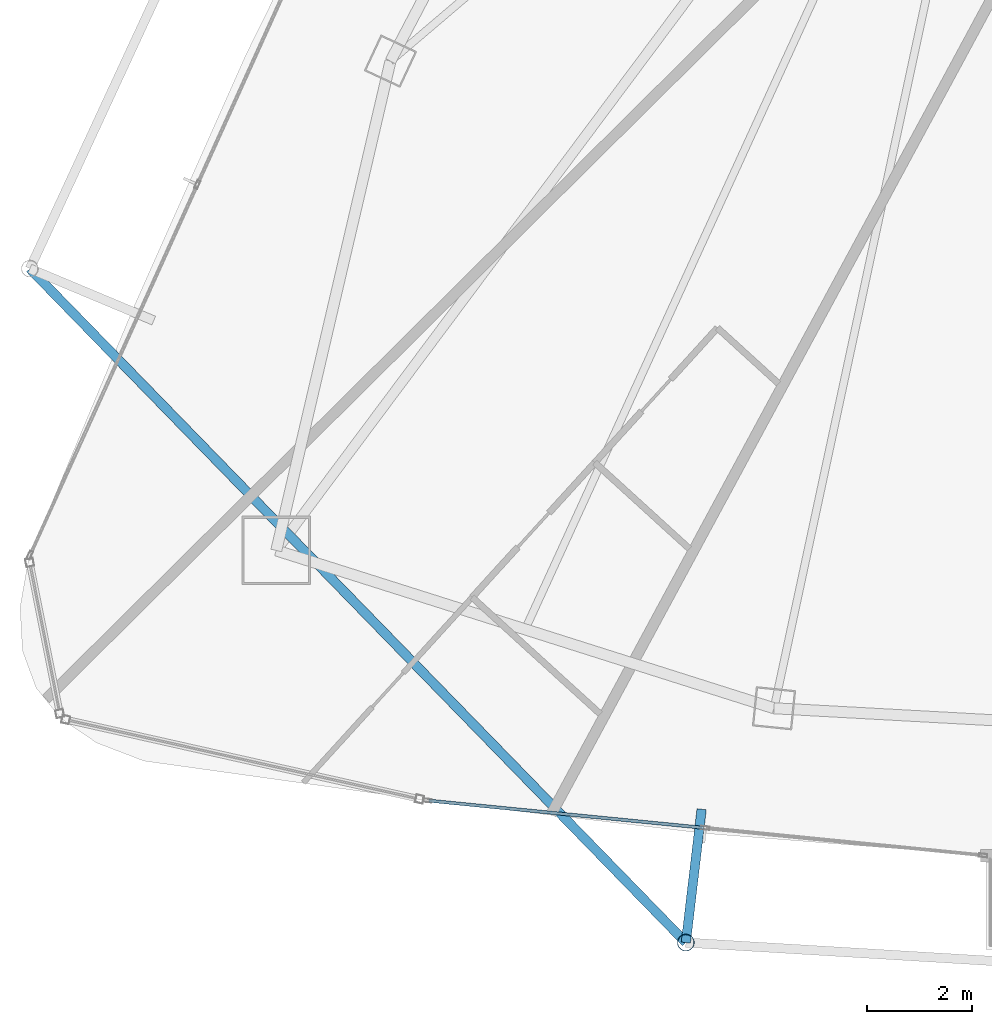
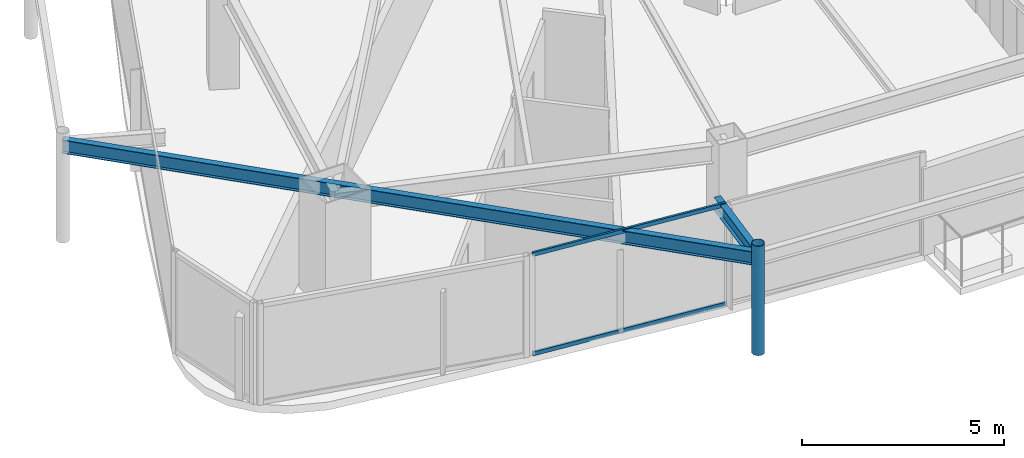
# One storey, part 3 of 33: 3 members, 2 beams, 1 element without a shape of its own.
"""IFC4 building model written with IfcOpenShell, lengths in metres."""

from ifc_helpers import new_model, si_unit, direction, frame, origin, origin_2d, place, context, subcontext, project, spatial, hollow_rectangle, hollow_circle, i_section, extrude, material, layer, layer_set, material_profile, profile_set, type_object, element, aggregate, save


model = new_model("IFC4")

# Units and contexts
model_context = context("Model", 3, precision=1e-05, world=origin(), true_north=direction((0.0, 1.0)))
body_context = subcontext(model_context, "Body", "Model", "MODEL_VIEW")
ifc_project = project(units=[si_unit("LENGTHUNIT", "METRE"), si_unit("AREAUNIT", "SQUARE_METRE"), si_unit("VOLUMEUNIT", "CUBIC_METRE"), si_unit("PLANEANGLEUNIT", "RADIAN"), si_unit("MASSUNIT", "GRAM", prefix="KILO")], contexts=[model_context])

# Site, building, storey
site_placement = place(None, origin())
site = spatial("IfcSite", under=ifc_project, at=site_placement, CompositionType="ELEMENT")
building_placement = place(site_placement, origin())
building = spatial("IfcBuilding", under=site, at=building_placement, Name="Orvanel Arch Residences", CompositionType="ELEMENT")
storey_placement = place(building_placement, frame((0.0, 0.0, 196.39990234375)))
storey = spatial("IfcBuildingStorey", under=building, at=storey_placement, Name="L55", CompositionType="ELEMENT", Elevation=196.39990234375)

# Beams
ifc_material_1 = material(Name="Structural steel AS/NZS 3679.1 Grade 300 (300 MPa)", Category="steel")
ifc_material_profile_1 = material_profile(ifc_material_1, i_section(OverallWidth=0.177978515625, OverallDepth=0.406005859375, WebThickness=0.0078125, FlangeThickness=0.0126953125, at=origin_2d()), Name="410UB59.7")
ifc_profile_set_1 = profile_set([ifc_material_profile_1], Name="Structural steel AS/NZS 3679.1 Grade 300 (300 MPa)")
beam_type = type_object("IfcBeamType", Name="OB-410UB-EXT", PredefinedType="SPANDREL", material=ifc_profile_set_1)
beam_1_placement = place(storey_placement, frame((9.52001953125, 15.700927734375, 2.857177734375), z_axis=(0.697526543764, -0.716558944362, 0.0), x_axis=(0.716558944362, 0.697526543764, 0.0)))
element("IfcBeam", 1, at=beam_1_placement, inside=storey, type_object=beam_type, Name="L55 Outer Perimeter Floor Ring Beam 04", PredefinedType="SPANDREL", context=body_context, shape_type="SweptSolid", body=[
    extrude(i_section(OverallWidth=0.177978515625, OverallDepth=0.406005859375, WebThickness=0.0078125, FlangeThickness=0.0126953125, at=origin_2d()), origin(), (0.0, 0.0, 1.0), 17.85595703125),
])
beam_2_placement = place(storey_placement, frame((22.27490234375, 5.43798828125, 2.857177734375), z_axis=(-0.117585676087, -0.993062741613, 0.0), x_axis=(0.993062741613, -0.117585676087, 0.0)))
element("IfcBeam", 2, at=beam_2_placement, inside=storey, type_object=beam_type, Name="L55 Outer Frame Radial Tie Beam 05", PredefinedType="SPANDREL", context=body_context, shape_type="SweptSolid", body=[
    extrude(i_section(OverallWidth=0.177978515625, OverallDepth=0.406005859375, WebThickness=0.0078125, FlangeThickness=0.0126953125, at=origin_2d()), origin(), (0.0, 0.0, 1.0), 2.549560546875),
])

# Member
ifc_material_2 = material(Name="Structural steel AS/NZS 1163 C350L0 (Grade 350)", Category="steel")
ifc_material_profile_2 = material_profile(ifc_material_2, hollow_circle(Radius=0.162109375, WallThickness=0.0126953125, at=origin_2d()), Name="CHS324x12.7")
ifc_profile_set_2 = profile_set([ifc_material_profile_2], Name="Structural steel AS/NZS 1163 C350L0 (Grade 350)")
member_type_1 = type_object("IfcMemberType", Name="ST-324CHS-EXT", PredefinedType="STRUT", material=ifc_profile_set_2)
member_1_placement = place(storey_placement, frame((21.97509765625, 2.906005859375, 0.0), z_axis=(0.0, 0.0, 1.0), x_axis=(1.0, 0.0, 0.0)))
element("IfcMember", 3, at=member_1_placement, inside=storey, type_object=member_type_1, Name="L55 Outer Perimeter Frame Post 05", PredefinedType="STRUT", context=body_context, shape_type="SweptSolid", body=[
    extrude(hollow_circle(Radius=0.162109375, WallThickness=0.0126953125, at=origin_2d()), origin(), (0.0, 0.0, 1.0), 3.300048828125),
])

# Curtain wall, members
ifc_material_3 = material(Name="Bronze-anodised aluminium AA6063-T6", Category="aluminium")
ifc_layer = layer(ifc_material_3, 0.175048828125)
ifc_layer_set = layer_set([ifc_layer], Name="Bronze-anodised aluminium AA6063-T6")
curtain_wall_type = type_object("IfcCurtainWallType", Name="CW4-HI-SYS", PredefinedType="NOTDEFINED", material=ifc_layer_set)
curtain_wall_placement = place(storey_placement, origin())
curtain_wall = element("IfcCurtainWall", 4, at=curtain_wall_placement, inside=storey, type_object=curtain_wall_type, Name="L55 CW4-HI-SYS Unitised Curtain Wall", PredefinedType="NOTDEFINED")
ifc_material_profile_3 = material_profile(ifc_material_3, hollow_rectangle(XDim=0.06005859375, YDim=0.1201171875, WallThickness=0.00341796875, at=origin_2d()), Name="ALU120x60x3.5")
ifc_profile_set_3 = profile_set([ifc_material_profile_3], Name="Bronze-anodised aluminium AA6063-T6")
member_type_2 = type_object("IfcMemberType", Name="TRN-120x60", PredefinedType="USERDEFINED", material=ifc_profile_set_3)
member_2_placement = place(storey_placement, frame((17.0986328125, 5.6005859375, 0.030029296875), z_axis=(0.995145527242, -0.098414326244, 0.0), x_axis=(0.098414326244, 0.995145527242, 0.0)))
member_2 = element("IfcMember", 5, at=member_2_placement, type_object=member_type_2, Name="CW-S4 transom 1.1", ObjectType="TRANSOM", PredefinedType="USERDEFINED", context=body_context, shape_type="SweptSolid", body=[
    extrude(hollow_rectangle(XDim=0.06005859375, YDim=0.1201171875, WallThickness=0.00341796875, at=origin_2d()), origin(), (0.0, 0.0, 1.0), 5.23681640625),
])
member_3_placement = place(storey_placement, frame((17.0986328125, 5.6005859375, 3.030029296875), z_axis=(0.995145527242, -0.098414326244, 0.0), x_axis=(0.098414326244, 0.995145527242, 0.0)))
member_3 = element("IfcMember", 6, at=member_3_placement, type_object=member_type_2, Name="CW-S4 transom 1.2", ObjectType="TRANSOM", PredefinedType="USERDEFINED", context=body_context, shape_type="SweptSolid", body=[
    extrude(hollow_rectangle(XDim=0.06005859375, YDim=0.1201171875, WallThickness=0.00341796875, at=origin_2d()), origin(), (0.0, 0.0, 1.0), 5.23681640625),
])
aggregate(curtain_wall, [member_2, member_3])

save(model, "model.ifc")
